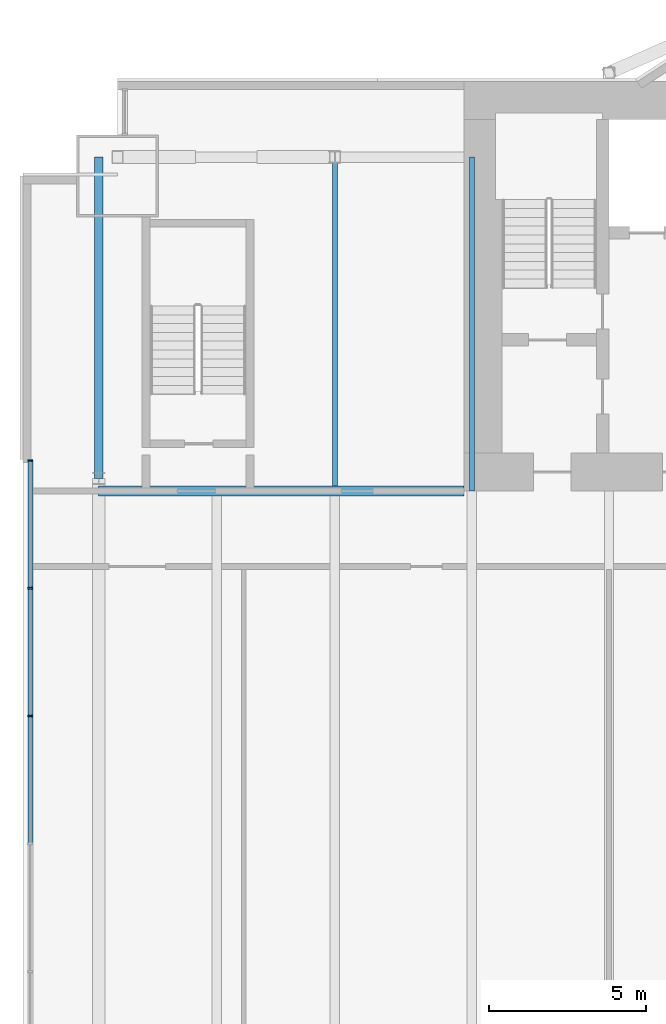
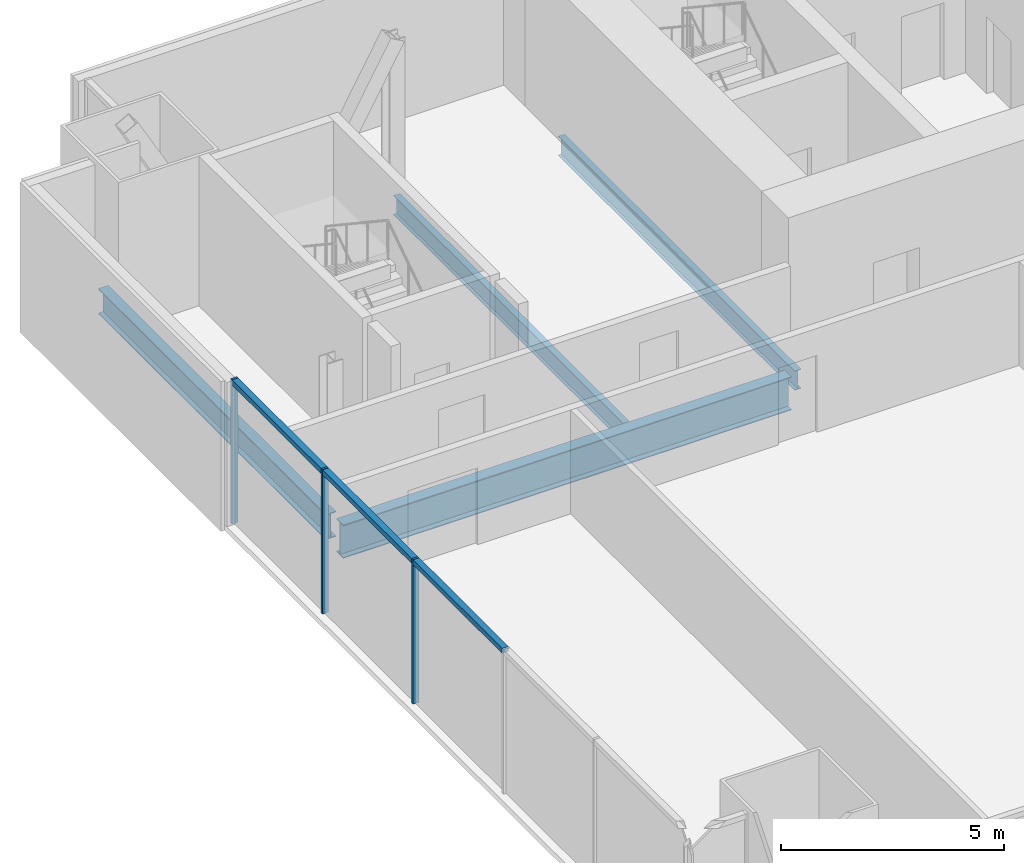
# One storey, part 7 of 22: 6 members, 4 beams, 1 element without a shape of its own.
"""IFC4 building model written with IfcOpenShell, lengths in metres."""

import ifcopenshell
import ifcopenshell.guid

model = None  # the IFC model being written
_history = None  # IfcOwnerHistory: only IFC2X3 demands one
_inside = {}  # id of a spatial element -> (the spatial element, [elements in it])
_under = {}  # id of a project, library or spatial element -> (it, [spatial elements below it])
_declared = {}  # id of a project -> (the project, [libraries it declares])
_typed = {}  # id of a type object -> (the type object, [elements of that type])
_made_of = {}  # id of a material, layer set ... -> (it, [elements and type objects made of it])


def new_model(schema):
    """Start an empty IFC model of exactly this schema.

    Asked for "IFC4X3", IfcOpenShell would pick the latest addendum, in which some entities
    have other attributes; the version numbers below select the first issue.
    IFC2X3 requires an IfcOwnerHistory on every rooted entity: one is made here for all.
    """
    global model, _history
    if schema == "IFC4X3":
        model = ifcopenshell.file(schema_version=(4, 3, 0, 0))
    else:
        model = ifcopenshell.file(schema=schema)
    _inside.clear()
    _under.clear()
    _declared.clear()
    _typed.clear()
    _made_of.clear()
    _history = None
    if model.schema == "IFC2X3":
        org = make("IfcOrganization", Name="unknown")
        user = make(
            "IfcPersonAndOrganization",
            ThePerson=make("IfcPerson", FamilyName="unknown"),
            TheOrganization=org,
        )
        app = make(
            "IfcApplication",
            ApplicationDeveloper=org,
            Version="unknown",
            ApplicationFullName="unknown",
            ApplicationIdentifier="unknown",
        )
        _history = make(
            "IfcOwnerHistory",
            OwningUser=user,
            OwningApplication=app,
            ChangeAction="ADDED",
            CreationDate=0,
        )
    return model


def make(cls, **values):
    """One entity of the class cls with the attributes given. An attribute that is None is left unset."""
    return model.create_entity(
        cls, **{name: value for name, value in values.items() if value is not None}
    )


def rooted(cls, **values):
    """An entity with a GlobalId (a new one), such as an element, a storey or a relation."""
    return make(cls, GlobalId=ifcopenshell.guid.new(), OwnerHistory=_history, **values)


def si_unit(unit_type, name, prefix=None):
    """IfcSIUnit, for example si_unit("LENGTHUNIT", "METRE", prefix="MILLI")."""
    return make("IfcSIUnit", UnitType=unit_type, Prefix=prefix, Name=name)


def assignment(units):
    """IfcUnitAssignment: the units of a project."""
    return None if units is None else make("IfcUnitAssignment", Units=units)


def point(xyz):
    """IfcCartesianPoint."""
    return None if xyz is None else make("IfcCartesianPoint", Coordinates=xyz)


def direction(xyz):
    """IfcDirection."""
    return None if xyz is None else make("IfcDirection", DirectionRatios=xyz)


def frame(location, z_axis=None, x_axis=None):
    """IfcAxis2Placement3D, a coordinate frame: its origin and axes. An axis left out is left unset."""
    return make(
        "IfcAxis2Placement3D",
        Location=point(location),
        Axis=direction(z_axis),
        RefDirection=direction(x_axis),
    )


def frame_2d(location, x_axis=None):
    """IfcAxis2Placement2D, a coordinate frame in the plane: its origin and x axis."""
    return make(
        "IfcAxis2Placement2D", Location=point(location), RefDirection=direction(x_axis)
    )


def origin():
    """The frame at (0, 0, 0) with its axes left unset."""
    return frame((0.0, 0.0, 0.0))


def origin_2d():
    """The frame at (0, 0) in the plane with its x axis left unset."""
    return frame_2d((0.0, 0.0))


def place(relative_to, where):
    """IfcLocalPlacement: puts the frame where relative to a parent placement (None: the world)."""
    return make(
        "IfcLocalPlacement", PlacementRelTo=relative_to, RelativePlacement=where
    )


def context(
    kind, dimensions, precision=None, world=None, true_north=None, identifier=None
):
    """IfcGeometricRepresentationContext, for example the 3D "Model" context."""
    return make(
        "IfcGeometricRepresentationContext",
        ContextIdentifier=identifier,
        ContextType=kind,
        CoordinateSpaceDimension=dimensions,
        Precision=precision,
        WorldCoordinateSystem=world,
        TrueNorth=true_north,
    )


def subcontext(parent, identifier, kind, view, scale=None):
    """IfcGeometricRepresentationSubContext, for example "Body" below "Model"."""
    return make(
        "IfcGeometricRepresentationSubContext",
        ContextIdentifier=identifier,
        ContextType=kind,
        ParentContext=parent,
        TargetScale=scale,
        TargetView=view,
    )


def project(units=None, contexts=None):
    """IfcProject with its units and contexts."""
    return rooted(
        "IfcProject",
        Name="project",
        RepresentationContexts=contexts,
        UnitsInContext=assignment(units),
    )


def spatial(cls, under=None, at=None, **own):
    """A site, building, storey or space (cls), placed at a placement, below another one or the project."""
    s = rooted(cls, ObjectPlacement=at, **own)
    if under is not None:
        _under.setdefault(under.id(), (under, []))[1].append(s)
    return s


def profile(cls, at=None, kind="AREA", **sizes):
    """A parametric profile (cls). Its sizes go by their IFC names, for example OverallWidth=200.0."""
    return make(cls, ProfileType=kind, Position=at, **sizes)


def rectangle(**sizes):
    """IfcRectangleProfileDef."""
    return profile("IfcRectangleProfileDef", **sizes)


def i_section(**sizes):
    """IfcIShapeProfileDef."""
    return profile("IfcIShapeProfileDef", **sizes)


def extrude(swept, where, along, depth):
    """IfcExtrudedAreaSolid: the profile swept, set in the frame where, extruded along a direction by depth."""
    return make(
        "IfcExtrudedAreaSolid",
        SweptArea=swept,
        Position=where,
        ExtrudedDirection=direction(along),
        Depth=depth,
    )


def shape(context_of_items, identifier, shape_type, items):
    """IfcShapeRepresentation: the items that make up one representation, for example the "Body"."""
    return make(
        "IfcShapeRepresentation",
        ContextOfItems=context_of_items,
        RepresentationIdentifier=identifier,
        RepresentationType=shape_type,
        Items=items,
    )


def material(Name=None, Category=None):
    """IfcMaterial."""
    return make("IfcMaterial", Name=Name, Category=Category)


def material_profile(
    of_material, cross_section, Name=None, Category=None, Priority=None
):
    """IfcMaterialProfile: a cross section and its material."""
    return make(
        "IfcMaterialProfile",
        Name=Name,
        Material=of_material,
        Profile=cross_section,
        Priority=Priority,
        Category=Category,
    )


def profile_set(profiles, Name=None, composite=None):
    """IfcMaterialProfileSet."""
    return make(
        "IfcMaterialProfileSet",
        Name=Name,
        MaterialProfiles=profiles,
        CompositeProfile=composite,
    )


def made_of(thing, what):
    """Note that an element or type object is made of a material, layer set ...; save() writes the relation."""
    if what is not None:
        _made_of.setdefault(what.id(), (what, []))[1].append(thing)
    return thing


def type_object(cls, material=None, **own):
    """A type object (cls), such as IfcWallType, which elements share."""
    return made_of(rooted(cls, **own), material)


def element(
    cls,
    number,
    at=None,
    inside=None,
    cuts=None,
    type_object=None,
    material=None,
    context=None,
    identifier="Body",
    shape_type=None,
    held_by="IfcProductDefinitionShape",
    body=None,
    shapes=None,
    **own,
):
    """One element of the class cls, such as IfcWall. Its Tag is "e" and its number.

    at: its placement. inside: the storey or other place that contains it. cuts: it is an
    opening in that element (IfcRelVoidsElement). A single representation is given by context,
    identifier, shape_type and body (its items); several are given by shapes. held_by: the class
    of the entity that holds the representations. save() writes the other relations.
    """
    e = rooted(cls, Tag="e%d" % number, ObjectPlacement=at, **own)
    if body is not None:
        shapes = [shape(context, identifier, shape_type, body)]
    if shapes is not None:
        e.Representation = make(held_by, Representations=shapes)
    if inside is not None:
        _inside.setdefault(inside.id(), (inside, []))[1].append(e)
    if cuts is not None:
        rooted(
            "IfcRelVoidsElement", RelatingBuildingElement=cuts, RelatedOpeningElement=e
        )
    if type_object is not None:
        _typed.setdefault(type_object.id(), (type_object, []))[1].append(e)
    return made_of(e, material)


def aggregate(whole, parts):
    """IfcRelAggregates: a whole, such as a stair, and the parts it consists of."""
    return rooted("IfcRelAggregates", RelatingObject=whole, RelatedObjects=parts)


def save(model, path):
    """Write the relations noted so far, then the file.

    IfcRelAggregates (storeys below a building ...), IfcRelContainedInSpatialStructure (elements
    in a storey), IfcRelDefinesByType, IfcRelAssociatesMaterial and IfcRelDeclares: one each for
    every whole, place, type object, material and project.
    """
    for whole, parts in _under.values():
        aggregate(whole, parts)
    for where, things in _inside.values():
        rooted(
            "IfcRelContainedInSpatialStructure",
            RelatedElements=things,
            RelatingStructure=where,
        )
    for kind, things in _typed.values():
        rooted("IfcRelDefinesByType", RelatedObjects=things, RelatingType=kind)
    for what, things in _made_of.values():
        rooted("IfcRelAssociatesMaterial", RelatedObjects=things, RelatingMaterial=what)
    for by, libraries in _declared.values():
        rooted("IfcRelDeclares", RelatingContext=by, RelatedDefinitions=libraries)
    model.write(path)


model = new_model("IFC4")

# Units and contexts
model_context = context("Model", 3, precision=1e-05, world=origin(), true_north=direction((0.0, 1.0)))
body_context = subcontext(model_context, "Body", "Model", "MODEL_VIEW")
ifc_project = project(units=[si_unit("LENGTHUNIT", "METRE"), si_unit("AREAUNIT", "SQUARE_METRE"), si_unit("VOLUMEUNIT", "CUBIC_METRE"), si_unit("PLANEANGLEUNIT", "RADIAN"), si_unit("MASSUNIT", "GRAM", prefix="KILO")], contexts=[model_context])

# Site, building, storey
site_placement = place(None, origin())
site = spatial("IfcSite", under=ifc_project, at=site_placement, CompositionType="ELEMENT")
building_placement = place(site_placement, origin())
building = spatial("IfcBuilding", under=site, at=building_placement, Name="Bicima Exchange Tower", CompositionType="ELEMENT")
storey_placement = place(building_placement, frame((0.0, 0.0, 148.60009765625)))
storey = spatial("IfcBuildingStorey", under=building, at=storey_placement, Name="L32", CompositionType="ELEMENT", Elevation=148.60009765625)

# Beam
ifc_material_1 = material(Name="Steel ASTM A992 Gr 50", Category="steel")
ifc_material_profile_1 = material_profile(ifc_material_1, i_section(OverallWidth=0.3046875, OverallDepth=0.911865234375, WebThickness=0.015869140625, FlangeThickness=0.02392578125, at=origin_2d()))
ifc_profile_set_1 = profile_set([ifc_material_profile_1], Name="Steel ASTM A992 Gr 50")
beam_type_1 = type_object("IfcBeamType", Name="Core-line girder W36x150", PredefinedType="BEAM", material=ifc_profile_set_1)
beam_1_placement = place(storey_placement, frame((-22.0, -13.0, -0.60595703125), z_axis=(-1.0, 0.0, 0.0), x_axis=(0.0, -1.0, 0.0)))
element("IfcBeam", 1, at=beam_1_placement, inside=storey, type_object=beam_type_1, Name="Core-line girder", PredefinedType="BEAM", context=body_context, shape_type="SweptSolid", body=[
    extrude(i_section(OverallWidth=0.3046875, OverallDepth=0.911865234375, WebThickness=0.015869140625, FlangeThickness=0.02392578125, at=origin_2d()), origin(), (0.0, 0.0, 1.0), 11.60009765625),
])

# Curtain wall, members
ifc_material_2 = material(Name="Anodised bronze aluminium", Category="aluminium")
curtain_wall_type = type_object("IfcCurtainWallType", Name="End face glass wall", PredefinedType="NOTDEFINED", material=ifc_material_2)
curtain_wall_placement = place(storey_placement, origin())
curtain_wall = element("IfcCurtainWall", 2, at=curtain_wall_placement, inside=storey, type_object=curtain_wall_type, Name="End face glass wall L32 run 2", PredefinedType="NOTDEFINED")
ifc_material_profile_2 = material_profile(ifc_material_2, rectangle(XDim=0.159912109375, YDim=0.06005859375, at=origin_2d()))
ifc_profile_set_2 = profile_set([ifc_material_profile_2], Name="Anodised bronze aluminium")
member_type_1 = type_object("IfcMemberType", Name="End face glass wall mullion 60 x 160", PredefinedType="MULLION", material=ifc_profile_set_2)
member_1_placement = place(storey_placement, frame((-35.77001953125, -12.030029296875, 0.0), z_axis=(0.0, 0.0, 1.0), x_axis=(1.0, 0.0, 0.0)))
member_1 = element("IfcMember", 3, at=member_1_placement, type_object=member_type_1, Name="End face glass wall mullion 1", PredefinedType="MULLION", context=body_context, shape_type="SweptSolid", body=[
    extrude(rectangle(XDim=0.159912109375, YDim=0.06005859375, at=origin_2d()), origin(), (0.0, 0.0, 1.0), 3.949951171875),
])
member_2_placement = place(storey_placement, frame((-35.77001953125, -16.087158203125, 0.0), z_axis=(0.0, 0.0, 1.0), x_axis=(1.0, 0.0, 0.0)))
member_2 = element("IfcMember", 4, at=member_2_placement, type_object=member_type_1, Name="End face glass wall mullion 2", PredefinedType="MULLION", context=body_context, shape_type="SweptSolid", body=[
    extrude(rectangle(XDim=0.159912109375, YDim=0.06005859375, at=origin_2d()), origin(), (0.0, 0.0, 1.0), 3.949951171875),
])
member_3_placement = place(storey_placement, frame((-35.77001953125, -20.144287109375, 0.0), z_axis=(0.0, 0.0, 1.0), x_axis=(1.0, 0.0, 0.0)))
member_3 = element("IfcMember", 5, at=member_3_placement, type_object=member_type_1, Name="End face glass wall mullion 3", PredefinedType="MULLION", context=body_context, shape_type="SweptSolid", body=[
    extrude(rectangle(XDim=0.159912109375, YDim=0.06005859375, at=origin_2d()), origin(), (0.0, 0.0, 1.0), 3.949951171875),
])
ifc_material_profile_3 = material_profile(ifc_material_2, rectangle(XDim=0.159912109375, YDim=0.139892578125, at=origin_2d()))
ifc_profile_set_3 = profile_set([ifc_material_profile_3], Name="Anodised bronze aluminium")
member_type_2 = type_object("IfcMemberType", Name="End face glass wall transom 140 x 160", PredefinedType="USERDEFINED", material=ifc_profile_set_3)
member_4_placement = place(storey_placement, frame((-35.77001953125, -12.06005859375, 3.8798828125), z_axis=(0.0, -1.0, 0.0), x_axis=(1.0, 0.0, 0.0)))
member_4 = element("IfcMember", 6, at=member_4_placement, type_object=member_type_2, Name="End face glass wall transom 1.1", ObjectType="TRANSOM", PredefinedType="USERDEFINED", context=body_context, shape_type="SweptSolid", body=[
    extrude(rectangle(XDim=0.159912109375, YDim=0.139892578125, at=origin_2d()), origin(), (0.0, 0.0, 1.0), 3.9970703125),
])
member_5_placement = place(storey_placement, frame((-35.77001953125, -16.1171875, 3.8798828125), z_axis=(0.0, -1.0, 0.0), x_axis=(1.0, 0.0, 0.0)))
member_5 = element("IfcMember", 7, at=member_5_placement, type_object=member_type_2, Name="End face glass wall transom 2.1", ObjectType="TRANSOM", PredefinedType="USERDEFINED", context=body_context, shape_type="SweptSolid", body=[
    extrude(rectangle(XDim=0.159912109375, YDim=0.139892578125, at=origin_2d()), origin(), (0.0, 0.0, 1.0), 3.997314453125),
])
member_6_placement = place(storey_placement, frame((-35.77001953125, -20.17431640625, 3.8798828125), z_axis=(0.0, -1.0, 0.0), x_axis=(1.0, 0.0, 0.0)))
member_6 = element("IfcMember", 8, at=member_6_placement, type_object=member_type_2, Name="End face glass wall transom 3.1", ObjectType="TRANSOM", PredefinedType="USERDEFINED", context=body_context, shape_type="SweptSolid", body=[
    extrude(rectangle(XDim=0.159912109375, YDim=0.139892578125, at=origin_2d()), origin(), (0.0, 0.0, 1.0), 3.997314453125),
])
aggregate(curtain_wall, [member_1, member_2, member_3, member_4, member_5, member_6])

# Beams
ifc_material_profile_4 = material_profile(ifc_material_1, i_section(OverallWidth=0.256591796875, OverallDepth=0.693359375, WebThickness=0.014404296875, FlangeThickness=0.023681640625, at=origin_2d()))
ifc_profile_set_4 = profile_set([ifc_material_profile_4], Name="Steel ASTM A992 Gr 50")
beam_type_2 = type_object("IfcBeamType", Name="End girder W27x114", PredefinedType="BEAM", material=ifc_profile_set_4)
beam_2_placement = place(storey_placement, frame((-33.60009765625, -2.39990234375, -0.496826171875), z_axis=(0.0, -1.0, 0.0), x_axis=(1.0, 0.0, 0.0)))
element("IfcBeam", 9, at=beam_2_placement, inside=storey, type_object=beam_type_2, Name="End girder", PredefinedType="BEAM", context=body_context, shape_type="SweptSolid", body=[
    extrude(i_section(OverallWidth=0.256591796875, OverallDepth=0.693359375, WebThickness=0.014404296875, FlangeThickness=0.023681640625, at=origin_2d()), origin(), (0.0, 0.0, 1.0), 10.2001953125),
])
ifc_material_profile_5 = material_profile(ifc_material_1, i_section(OverallWidth=0.165771484375, OverallDepth=0.5283203125, WebThickness=0.009765625, FlangeThickness=0.013671875, at=origin_2d()))
ifc_profile_set_5 = profile_set([ifc_material_profile_5], Name="Steel ASTM A992 Gr 50")
beam_type_3 = type_object("IfcBeamType", Name="Floor beam W21x50", PredefinedType="JOIST", material=ifc_profile_set_5)
beam_3_placement = place(storey_placement, frame((-26.10009765625, -2.5625, -0.414306640625), z_axis=(0.0, -1.0, 0.0), x_axis=(1.0, 0.0, 0.0)))
element("IfcBeam", 10, at=beam_3_placement, inside=storey, type_object=beam_type_3, Name="Floor beam", PredefinedType="JOIST", context=body_context, shape_type="SweptSolid", body=[
    extrude(i_section(OverallWidth=0.165771484375, OverallDepth=0.5283203125, WebThickness=0.009765625, FlangeThickness=0.013671875, at=origin_2d()), origin(), (0.0, 0.0, 1.0), 10.28515625),
])
beam_4_placement = place(storey_placement, frame((-21.75, -2.39990234375, -0.414306640625), z_axis=(0.0, -1.0, 0.0), x_axis=(1.0, 0.0, 0.0)))
element("IfcBeam", 11, at=beam_4_placement, inside=storey, type_object=beam_type_3, Name="Floor beam", PredefinedType="JOIST", context=body_context, shape_type="SweptSolid", body=[
    extrude(i_section(OverallWidth=0.165771484375, OverallDepth=0.5283203125, WebThickness=0.009765625, FlangeThickness=0.013671875, at=origin_2d()), origin(), (0.0, 0.0, 1.0), 10.60009765625),
])

save(model, "model.ifc")
